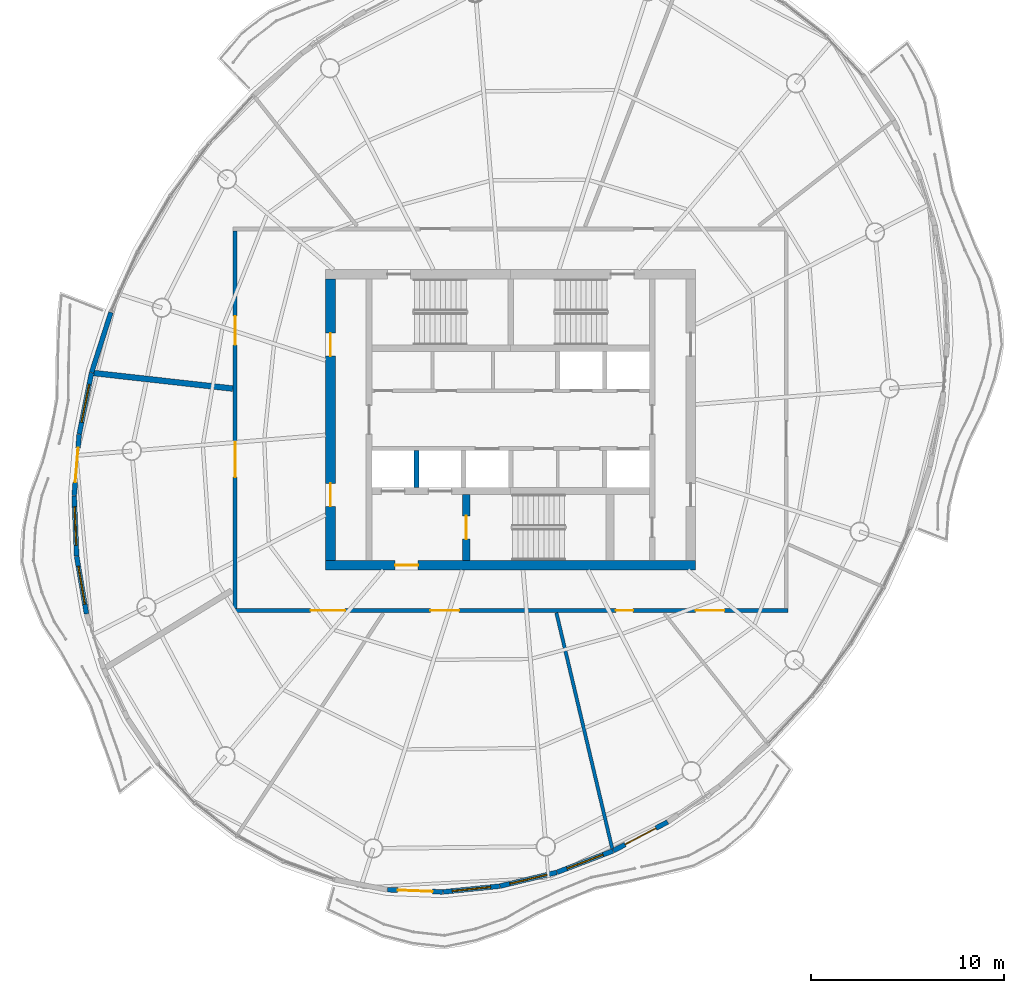
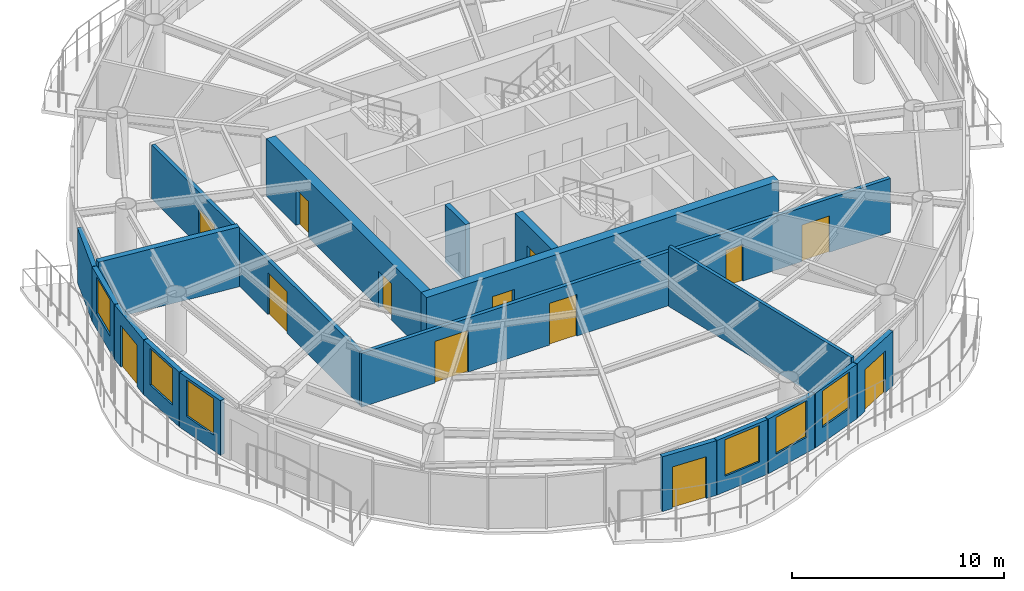
# One storey, part 8 of 15: 18 walls, 13 doors, 6 windows, 19 openings.
"""IFC4 building model written with IfcOpenShell, lengths in metres."""

from ifc_helpers import new_model, si_unit, direction, frame, frame_2d, origin, place, context, subcontext, project, spatial, rectangle, extrude, material, layer, layer_set, type_object, element, fill, save


model = new_model("IFC4")

# Units and contexts
model_context = context("Model", 3, precision=1e-05, world=origin(), true_north=direction((0.0, 1.0)))
body_context = subcontext(model_context, "Body", "Model", "MODEL_VIEW")
ifc_project = project(units=[si_unit("LENGTHUNIT", "METRE"), si_unit("AREAUNIT", "SQUARE_METRE"), si_unit("VOLUMEUNIT", "CUBIC_METRE"), si_unit("PLANEANGLEUNIT", "RADIAN"), si_unit("MASSUNIT", "GRAM", prefix="KILO")], contexts=[model_context])

# Site, building, storey
site_placement = place(None, origin())
site = spatial("IfcSite", under=ifc_project, at=site_placement, CompositionType="ELEMENT")
building_placement = place(site_placement, origin())
building = spatial("IfcBuilding", under=site, at=building_placement, Name="Vermilion Reach Broadcast Tower", CompositionType="ELEMENT")
storey_placement = place(building_placement, frame((0.0, 0.0, 261.300048828125)))
storey = spatial("IfcBuildingStorey", under=building, at=storey_placement, Name="L64", CompositionType="ELEMENT", Elevation=261.300048828125)

# Wall, opening, door
ifc_material_1 = material(Name="Concrete C50", Category="concrete")
ifc_layer_1 = layer(ifc_material_1, 0.39990234375)
ifc_layer_set_1 = layer_set([ifc_layer_1], Name="Core inner wall 400 mm Concrete C50")
wall_type_1 = type_object("IfcWallType", Name="Core inner wall 400 mm Concrete C50", PredefinedType="SHEAR", material=ifc_layer_set_1)
wall_1_placement = place(storey_placement, frame((-8.300048828125, -3.8798828125, 0.0), z_axis=(0.0, 0.0, 1.0), x_axis=(0.0, -1.0, 0.0)))
wall_1 = element("IfcWall", 1, at=wall_1_placement, inside=storey, type_object=wall_type_1, Name="L64 core wall wa", PredefinedType="SHEAR", context=body_context, shape_type="SweptSolid", body=[
    extrude(rectangle(XDim=3.420166015625, YDim=0.39990234375, at=frame_2d((1.7099609375, 0.0))), origin(), (0.0, 0.0, 1.0), 3.300048828125),
])
opening_1_placement = place(wall_1_placement, frame((1.110107421875, 0.0, 0.0)))
opening_1 = element("IfcOpeningElement", 2, at=opening_1_placement, cuts=wall_1, Name="Opening D01", PredefinedType="OPENING", context=body_context, shape_type="SweptSolid", body=[
    extrude(rectangle(XDim=1.199951171875, YDim=2.10009765625, at=frame_2d((0.60009765625, 1.050048828125))), frame((0.0, 0.2099609375, 0.0), z_axis=(0.0, -1.0, 0.0), x_axis=(1.0, 0.0, 0.0)), (0.0, 0.0, 1.0), 0.419921875),
])
ifc_material_2 = material(Name="Painted steel fire door", Category="steel")
door_type_1 = type_object("IfcDoorType", Name="Stair door 1200 x 2100", OperationType="DOUBLE_DOOR_SINGLE_SWING", PredefinedType="NOTDEFINED", material=ifc_material_2)
door_1_placement = place(opening_1_placement, origin())
door_1 = element("IfcDoor", 3, at=door_1_placement, inside=storey, type_object=door_type_1, Name="L64 stair door ST3", OperationType="DOUBLE_DOOR_SINGLE_SWING", OverallHeight=2.10009765625, OverallWidth=1.199951171875, PredefinedType="NOTDEFINED", context=body_context, shape_type="SweptSolid", body=[
    extrude(rectangle(XDim=1.199951171875, YDim=2.10009765625, at=frame_2d((0.60009765625, 1.050048828125))), frame((0.0, 0.02490234375, 0.0), z_axis=(0.0, -1.0, 0.0), x_axis=(1.0, 0.0, 0.0)), (0.0, 0.0, 1.0), 0.050048828125),
])
fill(opening_1, door_1)

ifc_material_3 = material(Name="Concrete C50", Category="concrete")
ifc_layer_2 = layer(ifc_material_3, 0.5)
ifc_layer_set_2 = layer_set([ifc_layer_2], Name="Core outer wall 500 mm Concrete C50")
wall_type_2 = type_object("IfcWallType", Name="Core outer wall 500 mm Concrete C50", PredefinedType="SHEAR", material=ifc_layer_set_2)
wall_2_placement = place(storey_placement, frame((-15.60009765625, -7.550048828125, 0.0), z_axis=(0.0, 0.0, 1.0), x_axis=(1.0, 0.0, 0.0)))
wall_2 = element("IfcWall", 4, at=wall_2_placement, inside=storey, type_object=wall_type_2, Name="L64 core wall os", PredefinedType="SHEAR", context=body_context, shape_type="SweptSolid", body=[
    extrude(rectangle(XDim=19.2001953125, YDim=0.5, at=frame_2d((9.60009765625, 0.0))), origin(), (0.0, 0.0, 1.0), 3.300048828125),
])
opening_2_placement = place(wall_2_placement, frame((3.60009765625, 0.0, 0.0)))
opening_2 = element("IfcOpeningElement", 5, at=opening_2_placement, cuts=wall_2, Name="Opening D02", PredefinedType="OPENING", context=body_context, shape_type="SweptSolid", body=[
    extrude(rectangle(XDim=1.199951171875, YDim=2.10009765625, at=frame_2d((0.60009765625, 1.050048828125))), frame((0.0, 0.260009765625, 0.0), z_axis=(0.0, -1.0, 0.0), x_axis=(1.0, 0.0, 0.0)), (0.0, 0.0, 1.0), 0.52001953125),
])
ifc_material_4 = material(Name="Painted steel fire door", Category="steel")
door_type_2 = type_object("IfcDoorType", Name="Firefighting lobby door 1200 x 2100", OperationType="DOUBLE_DOOR_SINGLE_SWING", PredefinedType="NOTDEFINED", material=ifc_material_4)
door_2_placement = place(opening_2_placement, origin())
door_2 = element("IfcDoor", 6, at=door_2_placement, inside=storey, type_object=door_type_2, Name="L64 ffdoor door FFL", OperationType="DOUBLE_DOOR_SINGLE_SWING", OverallHeight=2.10009765625, OverallWidth=1.199951171875, PredefinedType="NOTDEFINED", context=body_context, shape_type="SweptSolid", body=[
    extrude(rectangle(XDim=1.199951171875, YDim=2.10009765625, at=frame_2d((0.60009765625, 1.050048828125))), frame((0.0, 0.02490234375, 0.0), z_axis=(0.0, -1.0, 0.0), x_axis=(1.0, 0.0, 0.0)), (0.0, 0.0, 1.0), 0.050048828125),
])
fill(opening_2, door_2)

# Wall, openings, doors
wall_3_placement = place(storey_placement, frame((-15.35009765625, 7.300048828125, 0.0), z_axis=(0.0, 0.0, 1.0), x_axis=(0.0, -1.0, 0.0)))
wall_3 = element("IfcWall", 7, at=wall_3_placement, inside=storey, type_object=wall_type_2, Name="L64 core wall ow", PredefinedType="SHEAR", context=body_context, shape_type="SweptSolid", body=[
    extrude(rectangle(XDim=14.60009765625, YDim=0.5, at=frame_2d((7.300048828125, 0.0))), origin(), (0.0, 0.0, 1.0), 3.300048828125),
])
opening_3_placement = place(wall_3_placement, frame((10.60009765625, 0.0, 0.0)))
opening_3 = element("IfcOpeningElement", 8, at=opening_3_placement, cuts=wall_3, Name="Opening D03", PredefinedType="OPENING", context=body_context, shape_type="SweptSolid", body=[
    extrude(rectangle(XDim=1.199951171875, YDim=2.10009765625, at=frame_2d((0.60009765625, 1.050048828125))), frame((0.0, 0.260009765625, 0.0), z_axis=(0.0, -1.0, 0.0), x_axis=(1.0, 0.0, 0.0)), (0.0, 0.0, 1.0), 0.52001953125),
])
opening_4_placement = place(wall_3_placement, frame((2.800048828125, 0.0, 0.0)))
opening_4 = element("IfcOpeningElement", 9, at=opening_4_placement, cuts=wall_3, Name="Opening D03", PredefinedType="OPENING", context=body_context, shape_type="SweptSolid", body=[
    extrude(rectangle(XDim=1.199951171875, YDim=2.10009765625, at=frame_2d((0.60009765625, 1.050048828125))), frame((0.0, 0.260009765625, 0.0), z_axis=(0.0, -1.0, 0.0), x_axis=(1.0, 0.0, 0.0)), (0.0, 0.0, 1.0), 0.52001953125),
])
ifc_material_5 = material(Name="Painted steel fire door", Category="steel")
door_type_3 = type_object("IfcDoorType", Name="Core lobby door 1200 x 2100", OperationType="DOUBLE_DOOR_SINGLE_SWING", PredefinedType="NOTDEFINED", material=ifc_material_5)
door_3_placement = place(opening_3_placement, origin())
door_3 = element("IfcDoor", 10, at=door_3_placement, inside=storey, type_object=door_type_3, Name="L64 slot door W0", OperationType="DOUBLE_DOOR_SINGLE_SWING", OverallHeight=2.10009765625, OverallWidth=1.199951171875, PredefinedType="NOTDEFINED", context=body_context, shape_type="SweptSolid", body=[
    extrude(rectangle(XDim=1.199951171875, YDim=2.10009765625, at=frame_2d((0.60009765625, 1.050048828125))), frame((0.0, 0.02490234375, 0.0), z_axis=(0.0, -1.0, 0.0), x_axis=(1.0, 0.0, 0.0)), (0.0, 0.0, 1.0), 0.050048828125),
])
fill(opening_3, door_3)
door_4_placement = place(opening_4_placement, origin())
door_4 = element("IfcDoor", 11, at=door_4_placement, inside=storey, type_object=door_type_3, Name="L64 slot door W1", OperationType="DOUBLE_DOOR_SINGLE_SWING", OverallHeight=2.10009765625, OverallWidth=1.199951171875, PredefinedType="NOTDEFINED", context=body_context, shape_type="SweptSolid", body=[
    extrude(rectangle(XDim=1.199951171875, YDim=2.10009765625, at=frame_2d((0.60009765625, 1.050048828125))), frame((0.0, 0.02490234375, 0.0), z_axis=(0.0, -1.0, 0.0), x_axis=(1.0, 0.0, 0.0)), (0.0, 0.0, 1.0), 0.050048828125),
])
fill(opening_4, door_4)

# Walls
ifc_material_6 = material(Name="Concrete C50", Category="concrete")
ifc_layer_3 = layer(ifc_material_6, 0.25)
ifc_layer_set_3 = layer_set([ifc_layer_3], Name="Core shaft wall 250 mm Concrete C50")
wall_type_3 = type_object("IfcWallType", Name="Core shaft wall 250 mm Concrete C50", PredefinedType="SHEAR", material=ifc_layer_set_3)
wall_4_placement = place(storey_placement, frame((-10.88330078125, -1.60009765625, 0.0), z_axis=(0.0, 0.0, 1.0), x_axis=(0.0, -1.0, 0.0)))
element("IfcWall", 12, at=wall_4_placement, inside=storey, type_object=wall_type_3, Name="L64 core wall psS0", PredefinedType="SHEAR", context=body_context, shape_type="SweptSolid", body=[
    extrude(rectangle(XDim=1.929931640625, YDim=0.25, at=frame_2d((0.96484375, 0.0))), origin(), (0.0, 0.0, 1.0), 3.300048828125),
])
ifc_material_7 = material(Name="Fire-rated block, plastered")
ifc_layer_4 = layer(ifc_material_7, 0.175048828125)
ifc_layer_set_4 = layer_set([ifc_layer_4], Name="Partition 175 fire-rated block")
wall_type_4 = type_object("IfcWallType", Name="Partition 175 fire-rated block", PredefinedType="PARTITIONING", material=ifc_layer_set_4)
wall_5_placement = place(storey_placement, frame((-0.73095703125, -22.256591796875, 0.0), z_axis=(0.0, 0.0, 1.0), x_axis=(-0.23038317053, 0.973099992157, 0.0)))
element("IfcWall", 13, at=wall_5_placement, inside=storey, type_object=wall_type_4, Name="Partition 64.06", PredefinedType="PARTITIONING", context=body_context, shape_type="SweptSolid", body=[
    extrude(rectangle(XDim=12.574462890625, YDim=0.175048828125, at=frame_2d((6.287109375, 0.0))), origin(), (0.0, 0.0, 1.0), 3.449951171875),
])
ifc_material_8 = material(Name="Double-leaf plasterboard on isolated steel stud", Category="steel")
ifc_layer_5 = layer(ifc_material_8, 0.300048828125)
ifc_layer_set_5 = layer_set([ifc_layer_5], Name="Partition 300 acoustic double leaf")
wall_type_5 = type_object("IfcWallType", Name="Partition 300 acoustic double leaf", PredefinedType="PARTITIONING", material=ifc_layer_set_5)
wall_6_placement = place(storey_placement, frame((-27.6259765625, 2.4208984375, 0.0), z_axis=(0.0, 0.0, 1.0), x_axis=(0.993791041834, -0.11126259556, 0.0)))
element("IfcWall", 14, at=wall_6_placement, inside=storey, type_object=wall_type_5, Name="Partition 64.03", PredefinedType="PARTITIONING", context=body_context, shape_type="SweptSolid", body=[
    extrude(rectangle(XDim=7.254150390625, YDim=0.300048828125, at=frame_2d((3.626953125, 0.0))), origin(), (0.0, 0.0, 1.0), 3.449951171875),
])
ifc_material_9 = material(Name="Terracotta rainscreen cladding", Category="masonry")
ifc_layer_6 = layer(ifc_material_9, 0.25)
ifc_layer_set_6 = layer_set([ifc_layer_6], Name="Terracotta rainscreen wall 250")
wall_type_6 = type_object("IfcWallType", Name="Terracotta rainscreen wall 250", PredefinedType="SOLIDWALL", material=ifc_layer_set_6)
wall_7_placement = place(storey_placement, frame((-26.745361328125, 5.56884765625, 0.0), z_axis=(0.0, 0.0, 1.0), x_axis=(-0.305926817151, -0.95205503126, 0.0)))
element("IfcWall", 15, at=wall_7_placement, inside=storey, type_object=wall_type_6, Name="External wall L64 14", PredefinedType="SOLIDWALL", context=body_context, shape_type="SweptSolid", body=[
    extrude(rectangle(XDim=3.262451171875, YDim=0.25, at=frame_2d((1.63134765625, 0.0))), origin(), (0.0, 0.0, 1.0), 3.14990234375),
])

# Wall, opening, window
wall_8_placement = place(storey_placement, frame((-27.7490234375, 2.441650390625, 0.0), z_axis=(0.0, 0.0, 1.0), x_axis=(-0.196910086412, -0.980421551104, 0.0)))
wall_8 = element("IfcWall", 16, at=wall_8_placement, inside=storey, type_object=wall_type_6, Name="External wall L64 15", PredefinedType="SOLIDWALL", context=body_context, shape_type="SweptSolid", body=[
    extrude(rectangle(XDim=3.252197265625, YDim=0.25, at=frame_2d((1.6259765625, 0.0))), origin(), (0.0, 0.0, 1.0), 3.14990234375),
])
opening_5_placement = place(wall_8_placement, frame((0.6259765625, 0.0, 0.89990234375)))
opening_5 = element("IfcOpeningElement", 17, at=opening_5_placement, cuts=wall_8, Name="Opening W03", PredefinedType="OPENING", context=body_context, shape_type="SweptSolid", body=[
    extrude(rectangle(XDim=2.0, YDim=2.10009765625, at=frame_2d((1.0, 1.050048828125))), frame((0.0, 0.135009765625, 0.0), z_axis=(0.0, -1.0, 0.0), x_axis=(1.0, 0.0, 0.0)), (0.0, 0.0, 1.0), 0.27001953125),
])
ifc_material_10 = material(Name="Low-e laminated clear glass in aluminium frame", Category="aluminium")
window_type = type_object("IfcWindowType", Name="Punched window 2000 x 2100 sill 900", PartitioningType="SINGLE_PANEL", PredefinedType="WINDOW", material=ifc_material_10)
window_1_placement = place(opening_5_placement, origin())
window_1 = element("IfcWindow", 18, at=window_1_placement, inside=storey, type_object=window_type, Name="Window L64 15", OverallHeight=2.10009765625, OverallWidth=2.0, PartitioningType="SINGLE_PANEL", PredefinedType="WINDOW", context=body_context, shape_type="SweptSolid", body=[
    extrude(rectangle(XDim=2.0, YDim=2.10009765625, at=frame_2d((1.0, 1.050048828125))), frame((0.0, 0.030029296875, 0.0), z_axis=(0.0, -1.0, 0.0), x_axis=(1.0, 0.0, 0.0)), (0.0, 0.0, 1.0), 0.06005859375),
])
fill(opening_5, window_1)

# Wall, opening, door
wall_9_placement = place(storey_placement, frame((-28.392578125, -0.76904296875, 0.0), z_axis=(0.0, 0.0, 1.0), x_axis=(-0.081211205115, -0.996696914896, 0.0)))
wall_9 = element("IfcWall", 19, at=wall_9_placement, inside=storey, type_object=wall_type_6, Name="External wall L64 16", PredefinedType="SOLIDWALL", context=body_context, shape_type="SweptSolid", body=[
    extrude(rectangle(XDim=3.18359375, YDim=0.25, at=frame_2d((1.591796875, 0.0))), origin(), (0.0, 0.0, 1.0), 3.14990234375),
])
opening_6_placement = place(wall_9_placement, frame((0.69189453125, 0.0, 0.0)))
opening_6 = element("IfcOpeningElement", 20, at=opening_6_placement, cuts=wall_9, Name="Opening D70", PredefinedType="OPENING", context=body_context, shape_type="SweptSolid", body=[
    extrude(rectangle(XDim=1.800048828125, YDim=2.39990234375, at=frame_2d((0.89990234375, 1.199951171875))), frame((0.0, 0.135009765625, 0.0), z_axis=(0.0, -1.0, 0.0), x_axis=(1.0, 0.0, 0.0)), (0.0, 0.0, 1.0), 0.27001953125),
])
ifc_material_11 = material(Name="Low-e laminated clear glass in aluminium frame", Category="aluminium")
door_type_4 = type_object("IfcDoorType", Name="Balcony sliding door 1800 x 2400", OperationType="DOUBLE_DOOR_SLIDING", PredefinedType="DOOR", material=ifc_material_11)
door_5_placement = place(opening_6_placement, origin())
door_5 = element("IfcDoor", 21, at=door_5_placement, inside=storey, type_object=door_type_4, Name="Balcony door L64 run 04", OperationType="DOUBLE_DOOR_SLIDING", OverallHeight=2.39990234375, OverallWidth=1.800048828125, PredefinedType="DOOR", context=body_context, shape_type="SweptSolid", body=[
    extrude(rectangle(XDim=1.800048828125, YDim=2.39990234375, at=frame_2d((0.89990234375, 1.199951171875))), frame((0.0, 0.02490234375, 0.0), z_axis=(0.0, -1.0, 0.0), x_axis=(1.0, 0.0, 0.0)), (0.0, 0.0, 1.0), 0.050048828125),
])
fill(opening_6, door_5)

# Wall, opening, window
wall_10_placement = place(storey_placement, frame((-28.651611328125, -3.96533203125, 0.0), z_axis=(0.0, 0.0, 1.0), x_axis=(0.040878469358, -0.999164126029, 0.0)))
wall_10 = element("IfcWall", 22, at=wall_10_placement, inside=storey, type_object=wall_type_6, Name="External wall L64 17", PredefinedType="SOLIDWALL", context=body_context, shape_type="SweptSolid", body=[
    extrude(rectangle(XDim=3.105712890625, YDim=0.25, at=frame_2d((1.552734375, 0.0))), origin(), (0.0, 0.0, 1.0), 3.14990234375),
])
opening_7_placement = place(wall_10_placement, frame((0.552734375, 0.0, 0.89990234375)))
opening_7 = element("IfcOpeningElement", 23, at=opening_7_placement, cuts=wall_10, Name="Opening W03", PredefinedType="OPENING", context=body_context, shape_type="SweptSolid", body=[
    extrude(rectangle(XDim=2.0, YDim=2.10009765625, at=frame_2d((1.0, 1.050048828125))), frame((0.0, 0.135009765625, 0.0), z_axis=(0.0, -1.0, 0.0), x_axis=(1.0, 0.0, 0.0)), (0.0, 0.0, 1.0), 0.27001953125),
])
window_2_placement = place(opening_7_placement, origin())
window_2 = element("IfcWindow", 24, at=window_2_placement, inside=storey, type_object=window_type, Name="Window L64 17", OverallHeight=2.10009765625, OverallWidth=2.0, PartitioningType="SINGLE_PANEL", PredefinedType="WINDOW", context=body_context, shape_type="SweptSolid", body=[
    extrude(rectangle(XDim=2.0, YDim=2.10009765625, at=frame_2d((1.0, 1.050048828125))), frame((0.0, 0.030029296875, 0.0), z_axis=(0.0, -1.0, 0.0), x_axis=(1.0, 0.0, 0.0)), (0.0, 0.0, 1.0), 0.06005859375),
])
fill(opening_7, window_2)

wall_11_placement = place(storey_placement, frame((-28.522216796875, -7.09228515625, 0.0), z_axis=(0.0, 0.0, 1.0), x_axis=(0.168497464049, -0.985702087149, 0.0)))
wall_11 = element("IfcWall", 25, at=wall_11_placement, inside=storey, type_object=wall_type_6, Name="External wall L64 18", PredefinedType="SOLIDWALL", context=body_context, shape_type="SweptSolid", body=[
    extrude(rectangle(XDim=3.0224609375, YDim=0.25, at=frame_2d((1.51123046875, 0.0))), origin(), (0.0, 0.0, 1.0), 3.14990234375),
])
opening_8_placement = place(wall_11_placement, frame((0.51123046875, 0.0, 0.89990234375)))
opening_8 = element("IfcOpeningElement", 26, at=opening_8_placement, cuts=wall_11, Name="Opening W03", PredefinedType="OPENING", context=body_context, shape_type="SweptSolid", body=[
    extrude(rectangle(XDim=2.0, YDim=2.10009765625, at=frame_2d((1.0, 1.050048828125))), frame((0.0, 0.135009765625, 0.0), z_axis=(0.0, -1.0, 0.0), x_axis=(1.0, 0.0, 0.0)), (0.0, 0.0, 1.0), 0.27001953125),
])
window_3_placement = place(opening_8_placement, origin())
window_3 = element("IfcWindow", 27, at=window_3_placement, inside=storey, type_object=window_type, Name="Window L64 18", OverallHeight=2.10009765625, OverallWidth=2.0, PartitioningType="SINGLE_PANEL", PredefinedType="WINDOW", context=body_context, shape_type="SweptSolid", body=[
    extrude(rectangle(XDim=2.0, YDim=2.10009765625, at=frame_2d((1.0, 1.050048828125))), frame((0.0, 0.030029296875, 0.0), z_axis=(0.0, -1.0, 0.0), x_axis=(1.0, 0.0, 0.0)), (0.0, 0.0, 1.0), 0.06005859375),
])
fill(opening_8, window_3)

# Wall, opening, door
wall_12_placement = place(storey_placement, frame((-12.38818359375, -24.389404296875, 0.0), z_axis=(0.0, 0.0, 1.0), x_axis=(0.999183295278, -0.040407207744, 0.0)))
wall_12 = element("IfcWall", 28, at=wall_12_placement, inside=storey, type_object=wall_type_6, Name="External wall L64 27", PredefinedType="SOLIDWALL", context=body_context, shape_type="SweptSolid", body=[
    extrude(rectangle(XDim=2.864013671875, YDim=0.25, at=frame_2d((1.43212890625, 0.0))), origin(), (0.0, 0.0, 1.0), 3.14990234375),
])
opening_9_placement = place(wall_12_placement, frame((0.531982421875, 0.0, 0.0)))
opening_9 = element("IfcOpeningElement", 29, at=opening_9_placement, cuts=wall_12, Name="Opening D70", PredefinedType="OPENING", context=body_context, shape_type="SweptSolid", body=[
    extrude(rectangle(XDim=1.800048828125, YDim=2.39990234375, at=frame_2d((0.89990234375, 1.199951171875))), frame((0.0, 0.135009765625, 0.0), z_axis=(0.0, -1.0, 0.0), x_axis=(1.0, 0.0, 0.0)), (0.0, 0.0, 1.0), 0.27001953125),
])
door_6_placement = place(opening_9_placement, origin())
door_6 = element("IfcDoor", 30, at=door_6_placement, inside=storey, type_object=door_type_4, Name="Balcony door L64 run 07", OperationType="DOUBLE_DOOR_SLIDING", OverallHeight=2.39990234375, OverallWidth=1.800048828125, PredefinedType="DOOR", context=body_context, shape_type="SweptSolid", body=[
    extrude(rectangle(XDim=1.800048828125, YDim=2.39990234375, at=frame_2d((0.89990234375, 1.199951171875))), frame((0.0, 0.02490234375, 0.0), z_axis=(0.0, -1.0, 0.0), x_axis=(1.0, 0.0, 0.0)), (0.0, 0.0, 1.0), 0.050048828125),
])
fill(opening_9, door_6)

# Wall, opening, window
wall_13_placement = place(storey_placement, frame((-9.5009765625, -24.50439453125, 0.0), z_axis=(0.0, 0.0, 1.0), x_axis=(0.99482112725, 0.101641156908, 0.0)))
wall_13 = element("IfcWall", 31, at=wall_13_placement, inside=storey, type_object=wall_type_6, Name="External wall L64 28", PredefinedType="SOLIDWALL", context=body_context, shape_type="SweptSolid", body=[
    extrude(rectangle(XDim=2.93994140625, YDim=0.25, at=frame_2d((1.469970703125, 0.0))), origin(), (0.0, 0.0, 1.0), 3.14990234375),
])
opening_10_placement = place(wall_13_placement, frame((0.469970703125, 0.0, 0.89990234375)))
opening_10 = element("IfcOpeningElement", 32, at=opening_10_placement, cuts=wall_13, Name="Opening W03", PredefinedType="OPENING", context=body_context, shape_type="SweptSolid", body=[
    extrude(rectangle(XDim=2.0, YDim=2.10009765625, at=frame_2d((1.0, 1.050048828125))), frame((0.0, 0.135009765625, 0.0), z_axis=(0.0, -1.0, 0.0), x_axis=(1.0, 0.0, 0.0)), (0.0, 0.0, 1.0), 0.27001953125),
])
window_4_placement = place(opening_10_placement, origin())
window_4 = element("IfcWindow", 33, at=window_4_placement, inside=storey, type_object=window_type, Name="Window L64 28", OverallHeight=2.10009765625, OverallWidth=2.0, PartitioningType="SINGLE_PANEL", PredefinedType="WINDOW", context=body_context, shape_type="SweptSolid", body=[
    extrude(rectangle(XDim=2.0, YDim=2.10009765625, at=frame_2d((1.0, 1.050048828125))), frame((0.0, 0.030029296875, 0.0), z_axis=(0.0, -1.0, 0.0), x_axis=(1.0, 0.0, 0.0)), (0.0, 0.0, 1.0), 0.06005859375),
])
fill(opening_10, window_4)

wall_14_placement = place(storey_placement, frame((-6.551513671875, -24.201416015625, 0.0), z_axis=(0.0, 0.0, 1.0), x_axis=(0.972022459513, 0.234887926896, 0.0)))
wall_14 = element("IfcWall", 34, at=wall_14_placement, inside=storey, type_object=wall_type_6, Name="External wall L64 29", PredefinedType="SOLIDWALL", context=body_context, shape_type="SweptSolid", body=[
    extrude(rectangle(XDim=3.0224609375, YDim=0.25, at=frame_2d((1.51123046875, 0.0))), origin(), (0.0, 0.0, 1.0), 3.14990234375),
])
opening_11_placement = place(wall_14_placement, frame((0.51123046875, 0.0, 0.89990234375)))
opening_11 = element("IfcOpeningElement", 35, at=opening_11_placement, cuts=wall_14, Name="Opening W03", PredefinedType="OPENING", context=body_context, shape_type="SweptSolid", body=[
    extrude(rectangle(XDim=2.0, YDim=2.10009765625, at=frame_2d((1.0, 1.050048828125))), frame((0.0, 0.135009765625, 0.0), z_axis=(0.0, -1.0, 0.0), x_axis=(1.0, 0.0, 0.0)), (0.0, 0.0, 1.0), 0.27001953125),
])
window_5_placement = place(opening_11_placement, origin())
window_5 = element("IfcWindow", 36, at=window_5_placement, inside=storey, type_object=window_type, Name="Window L64 29", OverallHeight=2.10009765625, OverallWidth=2.0, PartitioningType="SINGLE_PANEL", PredefinedType="WINDOW", context=body_context, shape_type="SweptSolid", body=[
    extrude(rectangle(XDim=2.0, YDim=2.10009765625, at=frame_2d((1.0, 1.050048828125))), frame((0.0, 0.030029296875, 0.0), z_axis=(0.0, -1.0, 0.0), x_axis=(1.0, 0.0, 0.0)), (0.0, 0.0, 1.0), 0.06005859375),
])
fill(opening_11, window_5)

wall_15_placement = place(storey_placement, frame((-3.590576171875, -23.484375, 0.0), z_axis=(0.0, 0.0, 1.0), x_axis=(0.93395615703, 0.357387600156, 0.0)))
wall_15 = element("IfcWall", 37, at=wall_15_placement, inside=storey, type_object=wall_type_6, Name="External wall L64 30", PredefinedType="SOLIDWALL", context=body_context, shape_type="SweptSolid", body=[
    extrude(rectangle(XDim=3.10546875, YDim=0.25, at=frame_2d((1.552734375, 0.0))), origin(), (0.0, 0.0, 1.0), 3.14990234375),
])
opening_12_placement = place(wall_15_placement, frame((0.552734375, 0.0, 0.89990234375)))
opening_12 = element("IfcOpeningElement", 38, at=opening_12_placement, cuts=wall_15, Name="Opening W03", PredefinedType="OPENING", context=body_context, shape_type="SweptSolid", body=[
    extrude(rectangle(XDim=2.0, YDim=2.10009765625, at=frame_2d((1.0, 1.050048828125))), frame((0.0, 0.135009765625, 0.0), z_axis=(0.0, -1.0, 0.0), x_axis=(1.0, 0.0, 0.0)), (0.0, 0.0, 1.0), 0.27001953125),
])
window_6_placement = place(opening_12_placement, origin())
window_6 = element("IfcWindow", 39, at=window_6_placement, inside=storey, type_object=window_type, Name="Window L64 30", OverallHeight=2.10009765625, OverallWidth=2.0, PartitioningType="SINGLE_PANEL", PredefinedType="WINDOW", context=body_context, shape_type="SweptSolid", body=[
    extrude(rectangle(XDim=2.0, YDim=2.10009765625, at=frame_2d((1.0, 1.050048828125))), frame((0.0, 0.030029296875, 0.0), z_axis=(0.0, -1.0, 0.0), x_axis=(1.0, 0.0, 0.0)), (0.0, 0.0, 1.0), 0.06005859375),
])
fill(opening_12, window_6)

# Wall, opening, door
wall_16_placement = place(storey_placement, frame((-0.6689453125, -22.364990234375, 0.0), z_axis=(0.0, 0.0, 1.0), x_axis=(0.883433244898, 0.468557042216, 0.0)))
wall_16 = element("IfcWall", 40, at=wall_16_placement, inside=storey, type_object=wall_type_6, Name="External wall L64 31", PredefinedType="SOLIDWALL", context=body_context, shape_type="SweptSolid", body=[
    extrude(rectangle(XDim=3.18359375, YDim=0.25, at=frame_2d((1.591796875, 0.0))), origin(), (0.0, 0.0, 1.0), 3.14990234375),
])
opening_13_placement = place(wall_16_placement, frame((0.69189453125, 0.0, 0.0)))
opening_13 = element("IfcOpeningElement", 41, at=opening_13_placement, cuts=wall_16, Name="Opening D70", PredefinedType="OPENING", context=body_context, shape_type="SweptSolid", body=[
    extrude(rectangle(XDim=1.800048828125, YDim=2.39990234375, at=frame_2d((0.89990234375, 1.199951171875))), frame((0.0, 0.135009765625, 0.0), z_axis=(0.0, -1.0, 0.0), x_axis=(1.0, 0.0, 0.0)), (0.0, 0.0, 1.0), 0.27001953125),
])
door_7_placement = place(opening_13_placement, origin())
door_7 = element("IfcDoor", 42, at=door_7_placement, inside=storey, type_object=door_type_4, Name="Balcony door L64 run 08", OperationType="DOUBLE_DOOR_SLIDING", OverallHeight=2.39990234375, OverallWidth=1.800048828125, PredefinedType="DOOR", context=body_context, shape_type="SweptSolid", body=[
    extrude(rectangle(XDim=1.800048828125, YDim=2.39990234375, at=frame_2d((0.89990234375, 1.199951171875))), frame((0.0, 0.02490234375, 0.0), z_axis=(0.0, -1.0, 0.0), x_axis=(1.0, 0.0, 0.0)), (0.0, 0.0, 1.0), 0.050048828125),
])
fill(opening_13, door_7)

# Wall, openings, doors
ifc_material_12 = material(Name="Fire-rated gypsum board partition")
ifc_layer_7 = layer(ifc_material_12, 0.199951171875)
ifc_layer_set_7 = layer_set([ifc_layer_7], Name="Under girder: Corridor wall 200 fire-rated")
wall_type_7 = type_object("IfcWallType", Name="Under girder: Corridor wall 200 fire-rated", PredefinedType="PARTITIONING", material=ifc_layer_set_7)
wall_17_placement = place(storey_placement, frame((8.39990234375, -9.89990234375, 0.0), z_axis=(0.0, 0.0, 1.0), x_axis=(-1.0, 0.0, 0.0)))
wall_17 = element("IfcWall", 43, at=wall_17_placement, inside=storey, type_object=wall_type_7, Name="Corridor wall 64.S", PredefinedType="PARTITIONING", context=body_context, shape_type="SweptSolid", body=[
    extrude(rectangle(XDim=28.7998046875, YDim=0.199951171875, at=frame_2d((14.39990234375, 0.0))), origin(), (0.0, 0.0, 1.0), 3.099853515625),
])
opening_14_placement = place(wall_17_placement, frame((22.988525390625, 0.0, 0.0)))
opening_14 = element("IfcOpeningElement", 44, at=opening_14_placement, cuts=wall_17, Name="Opening D27", PredefinedType="OPENING", context=body_context, shape_type="SweptSolid", body=[
    extrude(rectangle(XDim=1.800048828125, YDim=2.39990234375, at=frame_2d((0.89990234375, 1.199951171875))), frame((0.0, 0.10986328125, 0.0), z_axis=(0.0, -1.0, 0.0), x_axis=(1.0, 0.0, 0.0)), (0.0, 0.0, 1.0), 0.219970703125),
])
opening_15_placement = place(wall_17_placement, frame((17.073486328125, 0.0, 0.0)))
opening_15 = element("IfcOpeningElement", 45, at=opening_15_placement, cuts=wall_17, Name="Opening D25", PredefinedType="OPENING", context=body_context, shape_type="SweptSolid", body=[
    extrude(rectangle(XDim=1.5, YDim=2.39990234375, at=frame_2d((0.75, 1.199951171875))), frame((0.0, 0.10986328125, 0.0), z_axis=(0.0, -1.0, 0.0), x_axis=(1.0, 0.0, 0.0)), (0.0, 0.0, 1.0), 0.219970703125),
])
opening_16_placement = place(wall_17_placement, frame((8.04296875, 0.0, 0.0)))
opening_16 = element("IfcOpeningElement", 46, at=opening_16_placement, cuts=wall_17, Name="Opening D22", PredefinedType="OPENING", context=body_context, shape_type="SweptSolid", body=[
    extrude(rectangle(XDim=0.89990234375, YDim=2.10009765625, at=frame_2d((0.449951171875, 1.050048828125))), frame((0.0, 0.10986328125, 0.0), z_axis=(0.0, -1.0, 0.0), x_axis=(1.0, 0.0, 0.0)), (0.0, 0.0, 1.0), 0.219970703125),
])
opening_17_placement = place(wall_17_placement, frame((3.30810546875, 0.0, 0.0)))
opening_17 = element("IfcOpeningElement", 47, at=opening_17_placement, cuts=wall_17, Name="Opening D24", PredefinedType="OPENING", context=body_context, shape_type="SweptSolid", body=[
    extrude(rectangle(XDim=1.5, YDim=2.10009765625, at=frame_2d((0.75, 1.050048828125))), frame((0.0, 0.10986328125, 0.0), z_axis=(0.0, -1.0, 0.0), x_axis=(1.0, 0.0, 0.0)), (0.0, 0.0, 1.0), 0.219970703125),
])
ifc_material_13 = material(Name="Timber door leaf", Category="wood")
door_type_5 = type_object("IfcDoorType", Name="Door pair 1500x2100", OperationType="NOTDEFINED", PredefinedType="DOOR", material=ifc_material_13)
door_8_placement = place(opening_17_placement, origin())
door_8 = element("IfcDoor", 48, at=door_8_placement, inside=storey, type_object=door_type_5, Name="Door 64.07", OperationType="DOUBLE_DOOR_SINGLE_SWING", OverallHeight=2.10009765625, OverallWidth=1.5, PredefinedType="DOOR", context=body_context, shape_type="SweptSolid", body=[
    extrude(rectangle(XDim=1.5, YDim=2.10009765625, at=frame_2d((0.75, 1.050048828125))), frame((0.0, 0.02490234375, 0.0), z_axis=(0.0, -1.0, 0.0), x_axis=(1.0, 0.0, 0.0)), (0.0, 0.0, 1.0), 0.050048828125),
])
fill(opening_17, door_8)
ifc_material_14 = material(Name="Glazed timber door leaf", Category="wood")
door_type_6 = type_object("IfcDoorType", Name="Door pair 1500x2400", OperationType="NOTDEFINED", PredefinedType="DOOR", material=ifc_material_14)
door_9_placement = place(opening_15_placement, origin())
door_9 = element("IfcDoor", 49, at=door_9_placement, inside=storey, type_object=door_type_6, Name="Door 64.05", OperationType="DOUBLE_DOOR_SINGLE_SWING", OverallHeight=2.39990234375, OverallWidth=1.5, PredefinedType="DOOR", context=body_context, shape_type="SweptSolid", body=[
    extrude(rectangle(XDim=1.5, YDim=2.39990234375, at=frame_2d((0.75, 1.199951171875))), frame((0.0, 0.02490234375, 0.0), z_axis=(0.0, -1.0, 0.0), x_axis=(1.0, 0.0, 0.0)), (0.0, 0.0, 1.0), 0.050048828125),
])
fill(opening_15, door_9)
ifc_material_15 = material(Name="Acoustic timber door leaf", Category="wood")
door_type_7 = type_object("IfcDoorType", Name="Door pair 1800x2400", OperationType="NOTDEFINED", PredefinedType="DOOR", material=ifc_material_15)
door_10_placement = place(opening_14_placement, origin())
door_10 = element("IfcDoor", 50, at=door_10_placement, inside=storey, type_object=door_type_7, Name="Door 64.04", OperationType="DOUBLE_DOOR_SINGLE_SWING", OverallHeight=2.39990234375, OverallWidth=1.800048828125, PredefinedType="DOOR", context=body_context, shape_type="SweptSolid", body=[
    extrude(rectangle(XDim=1.800048828125, YDim=2.39990234375, at=frame_2d((0.89990234375, 1.199951171875))), frame((0.0, 0.02490234375, 0.0), z_axis=(0.0, -1.0, 0.0), x_axis=(1.0, 0.0, 0.0)), (0.0, 0.0, 1.0), 0.050048828125),
])
fill(opening_14, door_10)
ifc_material_16 = material(Name="Timber door leaf", Category="wood")
door_type_8 = type_object("IfcDoorType", Name="Door single 900x2100", OperationType="NOTDEFINED", PredefinedType="DOOR", material=ifc_material_16)
door_11_placement = place(opening_16_placement, origin())
door_11 = element("IfcDoor", 51, at=door_11_placement, inside=storey, type_object=door_type_8, Name="Door 64.06", OperationType="SINGLE_SWING_LEFT", OverallHeight=2.10009765625, OverallWidth=0.89990234375, PredefinedType="DOOR", context=body_context, shape_type="SweptSolid", body=[
    extrude(rectangle(XDim=0.89990234375, YDim=2.10009765625, at=frame_2d((0.449951171875, 1.050048828125))), frame((0.0, 0.02490234375, 0.0), z_axis=(0.0, -1.0, 0.0), x_axis=(1.0, 0.0, 0.0)), (0.0, 0.0, 1.0), 0.050048828125),
])
fill(opening_16, door_11)

wall_18_placement = place(storey_placement, frame((-20.300048828125, -9.800048828125, 0.0), z_axis=(0.0, 0.0, 1.0), x_axis=(0.0, 1.0, 0.0)))
wall_18 = element("IfcWall", 52, at=wall_18_placement, inside=storey, type_object=wall_type_7, Name="Corridor wall 64.W", PredefinedType="PARTITIONING", context=body_context, shape_type="SweptSolid", body=[
    extrude(rectangle(XDim=19.60009765625, YDim=0.199951171875, at=frame_2d((9.800048828125, 0.0))), origin(), (0.0, 0.0, 1.0), 3.099853515625),
])
opening_18_placement = place(wall_18_placement, frame((13.678466796875, 0.0, 0.0)))
opening_18 = element("IfcOpeningElement", 53, at=opening_18_placement, cuts=wall_18, Name="Opening D24", PredefinedType="OPENING", context=body_context, shape_type="SweptSolid", body=[
    extrude(rectangle(XDim=1.5, YDim=2.10009765625, at=frame_2d((0.75, 1.050048828125))), frame((0.0, 0.10986328125, 0.0), z_axis=(0.0, -1.0, 0.0), x_axis=(1.0, 0.0, 0.0)), (0.0, 0.0, 1.0), 0.219970703125),
])
opening_19_placement = place(wall_18_placement, frame((6.822021484375, 0.0, 0.0)))
opening_19 = element("IfcOpeningElement", 54, at=opening_19_placement, cuts=wall_18, Name="Opening D27", PredefinedType="OPENING", context=body_context, shape_type="SweptSolid", body=[
    extrude(rectangle(XDim=1.800048828125, YDim=2.39990234375, at=frame_2d((0.89990234375, 1.199951171875))), frame((0.0, 0.10986328125, 0.0), z_axis=(0.0, -1.0, 0.0), x_axis=(1.0, 0.0, 0.0)), (0.0, 0.0, 1.0), 0.219970703125),
])
door_12_placement = place(opening_18_placement, origin())
door_12 = element("IfcDoor", 55, at=door_12_placement, inside=storey, type_object=door_type_5, Name="Door 64.02", OperationType="DOUBLE_DOOR_SINGLE_SWING", OverallHeight=2.10009765625, OverallWidth=1.5, PredefinedType="DOOR", context=body_context, shape_type="SweptSolid", body=[
    extrude(rectangle(XDim=1.5, YDim=2.10009765625, at=frame_2d((0.75, 1.050048828125))), frame((0.0, 0.02490234375, 0.0), z_axis=(0.0, -1.0, 0.0), x_axis=(1.0, 0.0, 0.0)), (0.0, 0.0, 1.0), 0.050048828125),
])
fill(opening_18, door_12)
door_13_placement = place(opening_19_placement, origin())
door_13 = element("IfcDoor", 56, at=door_13_placement, inside=storey, type_object=door_type_7, Name="Door 64.03", OperationType="DOUBLE_DOOR_SINGLE_SWING", OverallHeight=2.39990234375, OverallWidth=1.800048828125, PredefinedType="DOOR", context=body_context, shape_type="SweptSolid", body=[
    extrude(rectangle(XDim=1.800048828125, YDim=2.39990234375, at=frame_2d((0.89990234375, 1.199951171875))), frame((0.0, 0.02490234375, 0.0), z_axis=(0.0, -1.0, 0.0), x_axis=(1.0, 0.0, 0.0)), (0.0, 0.0, 1.0), 0.050048828125),
])
fill(opening_19, door_13)

save(model, "model.ifc")
